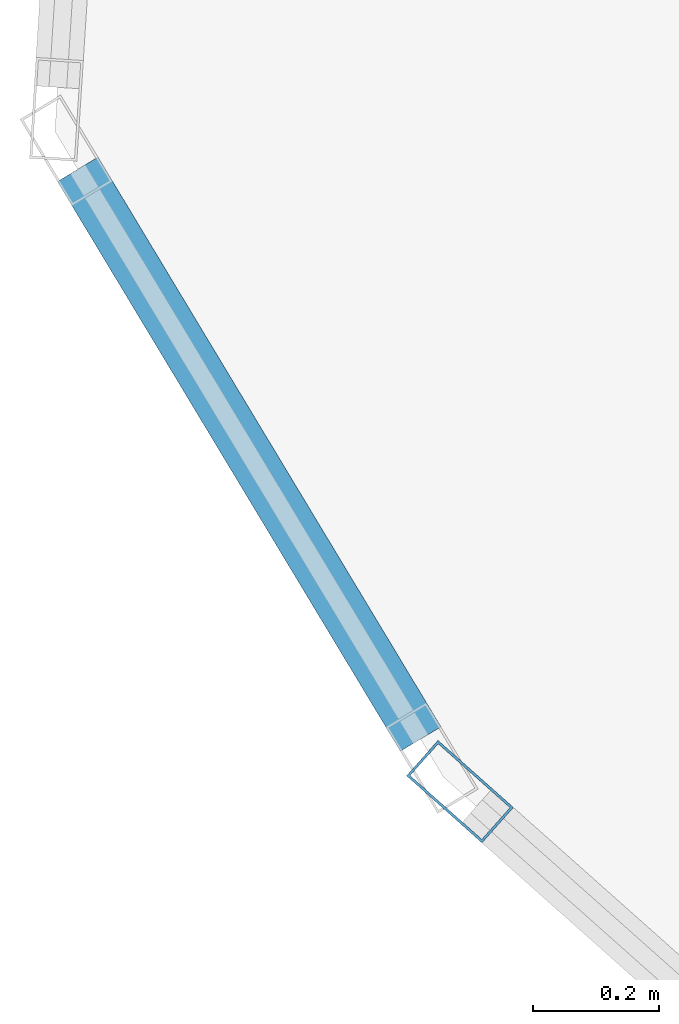
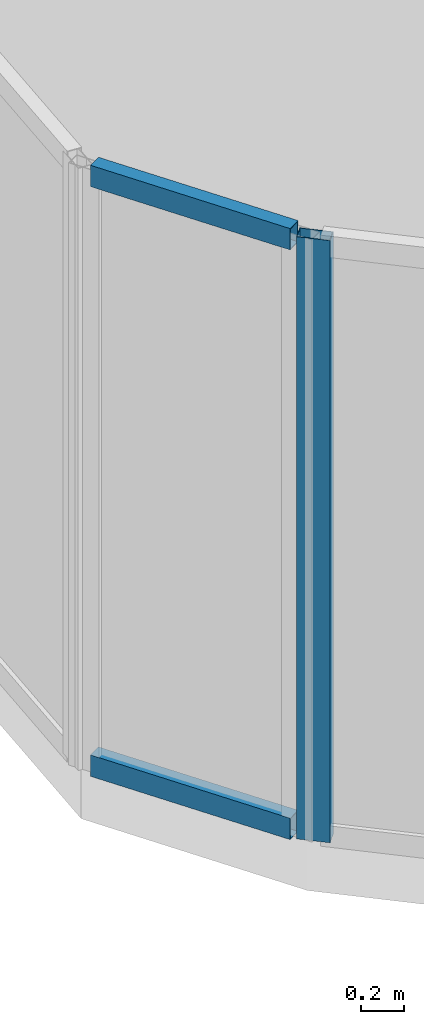
# One storey, part 4 of 27: 3 members, 2 elements without a shape of their own.
"""IFC4 building model written with IfcOpenShell, lengths in metres."""

from ifc_helpers import new_model, si_unit, direction, frame, origin, origin_2d, place, context, subcontext, project, spatial, hollow_rectangle, extrude, material, layer, layer_set, material_profile, profile_set, type_object, element, aggregate, save


model = new_model("IFC4")

# Units and contexts
model_context = context("Model", 3, precision=1e-05, world=origin(), true_north=direction((0.0, 1.0)))
body_context = subcontext(model_context, "Body", "Model", "MODEL_VIEW")
ifc_project = project(units=[si_unit("LENGTHUNIT", "METRE"), si_unit("AREAUNIT", "SQUARE_METRE"), si_unit("VOLUMEUNIT", "CUBIC_METRE"), si_unit("PLANEANGLEUNIT", "RADIAN"), si_unit("MASSUNIT", "GRAM", prefix="KILO")], contexts=[model_context])

# Site, building, storey
site_placement = place(None, origin())
site = spatial("IfcSite", under=ifc_project, at=site_placement, CompositionType="ELEMENT")
building_placement = place(site_placement, origin())
building = spatial("IfcBuilding", under=site, at=building_placement, Name="Keshet Zoharim Tower", CompositionType="ELEMENT")
storey_placement = place(building_placement, frame((0.0, 0.0, 291.699951171875)))
storey = spatial("IfcBuildingStorey", under=building, at=storey_placement, Name="L73", CompositionType="ELEMENT", Elevation=291.699951171875)

# Curtain wall, member
ifc_material = material(Name="Aluminium 6063-T6", Category="aluminium")
ifc_layer = layer(ifc_material, 0.260009765625)
ifc_layer_set = layer_set([ifc_layer], Name="Aluminium 6063-T6")
curtain_wall_type = type_object("IfcCurtainWallType", Name="CW-SYS-06", PredefinedType="NOTDEFINED", material=ifc_layer_set)
curtain_wall_1_placement = place(storey_placement, origin())
curtain_wall_1 = element("IfcCurtainWall", 1, at=curtain_wall_1_placement, inside=storey, type_object=curtain_wall_type, Name="L73 Unitised Curtain Wall 16 Part 3", PredefinedType="NOTDEFINED")
ifc_material_profile_1 = material_profile(ifc_material, hollow_rectangle(XDim=0.074951171875, YDim=0.159912109375, WallThickness=0.00390625, at=origin_2d()), Name="MUL-75x160")
ifc_profile_set_1 = profile_set([ifc_material_profile_1], Name="Aluminium 6063-T6")
member_type_1 = type_object("IfcMemberType", Name="CWM-M15", PredefinedType="MULLION", material=ifc_profile_set_1)
member_1_placement = place(storey_placement, frame((4.061279296875, 21.7568359375, 0.0), z_axis=(0.0, 0.0, 1.0), x_axis=(-0.664363838836, -0.747409318679, 0.0)))
member_1 = element("IfcMember", 2, at=member_1_placement, type_object=member_type_1, Name="CW-06 mullion 2", PredefinedType="MULLION", context=body_context, shape_type="SweptSolid", body=[
    extrude(hollow_rectangle(XDim=0.074951171875, YDim=0.159912109375, WallThickness=0.00390625, at=origin_2d()), origin(), (0.0, 0.0, 1.0), 3.39013671875),
])
aggregate(curtain_wall_1, [member_1])

# Curtain wall, members
curtain_wall_2_placement = place(storey_placement, origin())
curtain_wall_2 = element("IfcCurtainWall", 3, at=curtain_wall_2_placement, inside=storey, type_object=curtain_wall_type, Name="L73 Unitised Curtain Wall 01", PredefinedType="NOTDEFINED")
ifc_material_profile_2 = material_profile(ifc_material, hollow_rectangle(XDim=0.074951171875, YDim=0.1201171875, WallThickness=0.00390625, at=origin_2d()), Name="TRN-75x120")
ifc_profile_set_2 = profile_set([ifc_material_profile_2], Name="Aluminium 6063-T6")
member_type_2 = type_object("IfcMemberType", Name="CWT-T12", PredefinedType="USERDEFINED", material=ifc_profile_set_2)
member_2_placement = place(storey_placement, frame((3.9990234375, 21.840087890625, 0.03515625), z_axis=(-0.515791194107, 0.856714330499, 0.0), x_axis=(-0.856714330499, -0.515791194107, 0.0)))
member_2 = element("IfcMember", 4, at=member_2_placement, type_object=member_type_2, Name="CW-06 transom 1.1", ObjectType="TRANSOM", PredefinedType="USERDEFINED", context=body_context, shape_type="SweptSolid", body=[
    extrude(hollow_rectangle(XDim=0.074951171875, YDim=0.1201171875, WallThickness=0.00390625, at=origin_2d()), origin(), (0.0, 0.0, 1.0), 1.052734375),
])
member_3_placement = place(storey_placement, frame((3.9990234375, 21.840087890625, 3.35498046875), z_axis=(-0.515791194107, 0.856714330499, 0.0), x_axis=(-0.856714330499, -0.515791194107, 0.0)))
member_3 = element("IfcMember", 5, at=member_3_placement, type_object=member_type_2, Name="CW-06 transom 1.2", ObjectType="TRANSOM", PredefinedType="USERDEFINED", context=body_context, shape_type="SweptSolid", body=[
    extrude(hollow_rectangle(XDim=0.074951171875, YDim=0.1201171875, WallThickness=0.00390625, at=origin_2d()), origin(), (0.0, 0.0, 1.0), 1.052734375),
])
aggregate(curtain_wall_2, [member_2, member_3])

save(model, "model.ifc")
